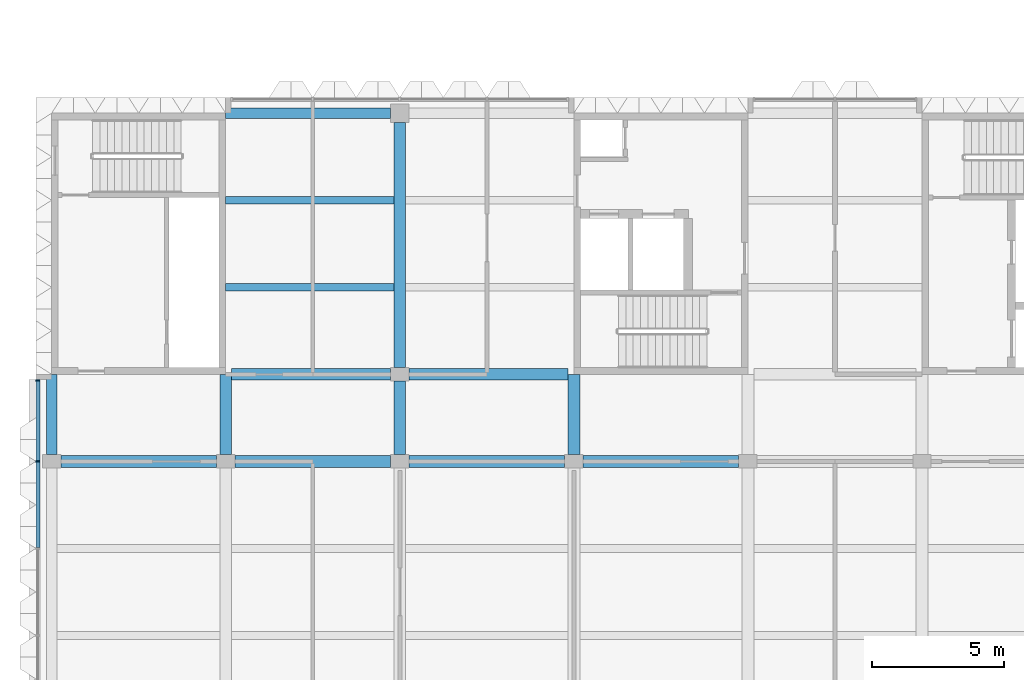
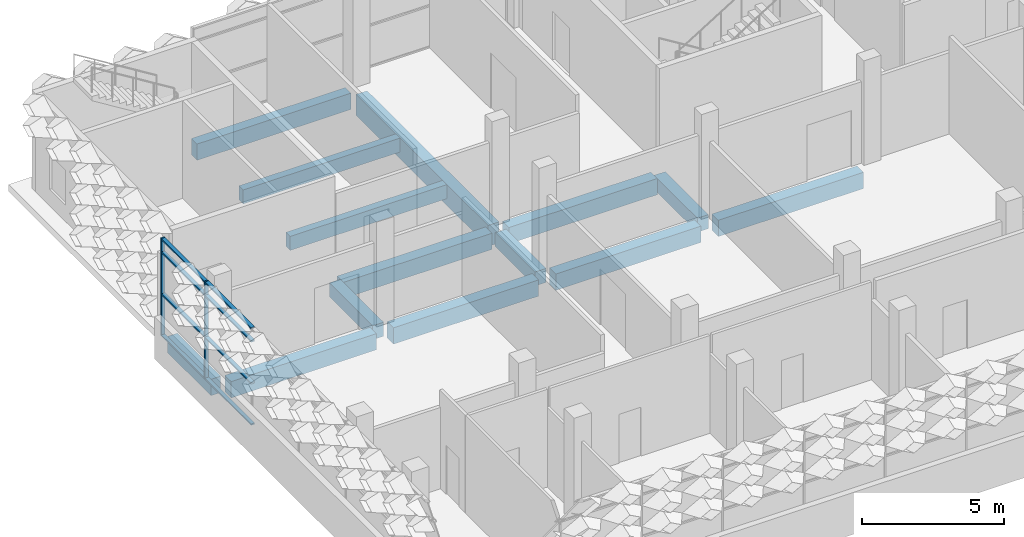
# One storey, part 4 of 85: 14 beams, 10 members, 1 element without a shape of its own.
"""IFC4 building model written with IfcOpenShell, lengths in metres."""

from ifc_helpers import new_model, si_unit, direction, frame, origin, origin_2d, place, context, subcontext, project, spatial, rectangle, extrude, material, material_profile, profile_set, type_object, element, aggregate, save


model = new_model("IFC4")

# Units and contexts
model_context = context("Model", 3, precision=1e-05, world=origin(), true_north=direction((0.0, 1.0)))
body_context = subcontext(model_context, "Body", "Model", "MODEL_VIEW")
ifc_project = project(units=[si_unit("LENGTHUNIT", "METRE"), si_unit("AREAUNIT", "SQUARE_METRE"), si_unit("VOLUMEUNIT", "CUBIC_METRE"), si_unit("PLANEANGLEUNIT", "RADIAN"), si_unit("MASSUNIT", "GRAM", prefix="KILO")], contexts=[model_context])

# Site, building, storey
site_placement = place(None, origin())
site = spatial("IfcSite", under=ifc_project, at=site_placement, CompositionType="ELEMENT")
building_placement = place(site_placement, origin())
building = spatial("IfcBuilding", under=site, at=building_placement, Name="Lantern Court Research Institute", CompositionType="ELEMENT")
storey_placement = place(building_placement, frame((0.0, 0.0, 18.89990234375)))
storey = spatial("IfcBuildingStorey", under=building, at=storey_placement, Name="L04", CompositionType="ELEMENT", Elevation=18.89990234375)

# Curtain wall, members
ifc_material_1 = material(Name="Aluminium alloy 6063-T6", Category="aluminium")
curtain_wall_type = type_object("IfcCurtainWallType", Name="Curtain wall 21250 x 4200 x 150 aluminium frame", PredefinedType="NOTDEFINED", material=ifc_material_1)
curtain_wall_placement = place(storey_placement, origin())
curtain_wall = element("IfcCurtainWall", 1, at=curtain_wall_placement, inside=storey, type_object=curtain_wall_type, Name="Curtain wall CW064", PredefinedType="NOTDEFINED")
ifc_material_2 = material(Name="Aluminium alloy 6063-T6", Category="aluminium")
ifc_material_profile_1 = material_profile(ifc_material_2, rectangle(XDim=0.14990234375, YDim=0.06005859375, at=origin_2d()), Name="Mullion 150 x 60")
ifc_profile_set_1 = profile_set([ifc_material_profile_1], Name="Aluminium alloy 6063-T6")
member_type_1 = type_object("IfcMemberType", Name="Mullion 150 x 60 aluminium", PredefinedType="MULLION", material=ifc_profile_set_1)
member_1_placement = place(storey_placement, frame((-0.52490234375, 9.89990234375, 0.0), z_axis=(0.0, 0.0, 1.0), x_axis=(-1.0, 0.0, 0.0)))
member_1 = element("IfcMember", 2, at=member_1_placement, type_object=member_type_1, Name="CW064 mullion 7", PredefinedType="MULLION", context=body_context, shape_type="SweptSolid", body=[
    extrude(rectangle(XDim=0.14990234375, YDim=0.06005859375, at=origin_2d()), origin(), (0.0, 0.0, 1.0), 4.2001953125),
])
member_2_placement = place(storey_placement, frame((-0.52490234375, 12.969970703125, 0.0), z_axis=(0.0, 0.0, 1.0), x_axis=(-1.0, 0.0, 0.0)))
member_2 = element("IfcMember", 3, at=member_2_placement, type_object=member_type_1, Name="CW064 mullion 8", PredefinedType="MULLION", context=body_context, shape_type="SweptSolid", body=[
    extrude(rectangle(XDim=0.14990234375, YDim=0.06005859375, at=origin_2d()), origin(), (0.0, 0.0, 1.0), 4.2001953125),
])

# Beams
ifc_material_3 = material(Name="Concrete C40/50", Category="concrete")
ifc_material_profile_2 = material_profile(ifc_material_3, rectangle(XDim=0.449951171875, YDim=0.699951171875, at=origin_2d()), Name="RC beam 450 x 700")
ifc_profile_set_2 = profile_set([ifc_material_profile_2], Name="Concrete C40/50")
beam_type_1 = type_object("IfcBeamType", Name="RC beam 450 x 700", PredefinedType="BEAM", material=ifc_profile_set_2)
beam_1_placement = place(storey_placement, frame((0.35009765625, 9.89990234375, -0.64990234375), z_axis=(1.0, 0.0, 0.0), x_axis=(0.0, 1.0, 0.0)))
element("IfcBeam", 4, at=beam_1_placement, inside=storey, type_object=beam_type_1, Name="Beam L04 grid B/1-2", PredefinedType="BEAM", context=body_context, shape_type="SweptSolid", body=[
    extrude(rectangle(XDim=0.449951171875, YDim=0.699951171875, at=origin_2d()), origin(), (0.0, 0.0, 1.0), 5.89990234375),
])
beam_2_placement = place(storey_placement, frame((6.949951171875, 9.89990234375, -0.64990234375), z_axis=(1.0, 0.0, 0.0), x_axis=(0.0, 1.0, 0.0)))
element("IfcBeam", 5, at=beam_2_placement, inside=storey, type_object=beam_type_1, Name="Beam L04 grid B/2-3", PredefinedType="BEAM", context=body_context, shape_type="SweptSolid", body=[
    extrude(rectangle(XDim=0.449951171875, YDim=0.699951171875, at=origin_2d()), origin(), (0.0, 0.0, 1.0), 5.900146484375),
])
beam_3_placement = place(storey_placement, frame((13.550048828125, 9.89990234375, -0.64990234375), z_axis=(1.0, 0.0, 0.0), x_axis=(0.0, 1.0, 0.0)))
element("IfcBeam", 6, at=beam_3_placement, inside=storey, type_object=beam_type_1, Name="Beam L04 grid B/3-4", PredefinedType="BEAM", context=body_context, shape_type="SweptSolid", body=[
    extrude(rectangle(XDim=0.449951171875, YDim=0.699951171875, at=origin_2d()), origin(), (0.0, 0.0, 1.0), 5.89990234375),
])
beam_4_placement = place(storey_placement, frame((20.14990234375, 9.89990234375, -0.64990234375), z_axis=(1.0, 0.0, 0.0), x_axis=(0.0, 1.0, 0.0)))
element("IfcBeam", 7, at=beam_4_placement, inside=storey, type_object=beam_type_1, Name="Beam L04 grid B/4-5", PredefinedType="BEAM", context=body_context, shape_type="SweptSolid", body=[
    extrude(rectangle(XDim=0.449951171875, YDim=0.699951171875, at=origin_2d()), origin(), (0.0, 0.0, 1.0), 5.900146484375),
])
beam_5_placement = place(storey_placement, frame((6.824951171875, 13.199951171875, -0.64990234375), z_axis=(1.0, 0.0, 0.0), x_axis=(0.0, 1.0, 0.0)))
element("IfcBeam", 8, at=beam_5_placement, inside=storey, type_object=beam_type_1, Name="Beam L04 grid C/2-3", PredefinedType="BEAM", context=body_context, shape_type="SweptSolid", body=[
    extrude(rectangle(XDim=0.449951171875, YDim=0.699951171875, at=origin_2d()), origin(), (0.0, 0.0, 1.0), 6.025146484375),
])
beam_6_placement = place(storey_placement, frame((13.550048828125, 13.199951171875, -0.64990234375), z_axis=(1.0, 0.0, 0.0), x_axis=(0.0, 1.0, 0.0)))
element("IfcBeam", 9, at=beam_6_placement, inside=storey, type_object=beam_type_1, Name="Beam L04 grid C/3-4", PredefinedType="BEAM", context=body_context, shape_type="SweptSolid", body=[
    extrude(rectangle(XDim=0.449951171875, YDim=0.699951171875, at=origin_2d()), origin(), (0.0, 0.0, 1.0), 6.02490234375),
])
ifc_material_4 = material(Name="Concrete C40/50", Category="concrete")
ifc_material_profile_3 = material_profile(ifc_material_4, rectangle(XDim=0.39990234375, YDim=0.699951171875, at=origin_2d()), Name="RC beam 400 x 700")
ifc_profile_set_3 = profile_set([ifc_material_profile_3], Name="Concrete C40/50")
beam_type_2 = type_object("IfcBeamType", Name="RC edge beam 400 x 700", PredefinedType="BEAM", material=ifc_profile_set_3)
beam_7_placement = place(storey_placement, frame((0.0, 10.14990234375, -0.64990234375), z_axis=(0.0, 1.0, 0.0), x_axis=(-1.0, 0.0, 0.0)))
element("IfcBeam", 10, at=beam_7_placement, inside=storey, type_object=beam_type_2, Name="Edge beam L04 grid 1/B-C", PredefinedType="BEAM", context=body_context, shape_type="SweptSolid", body=[
    extrude(rectangle(XDim=0.39990234375, YDim=0.699951171875, at=origin_2d()), origin(), (0.0, 0.0, 1.0), 3.050048828125),
])
beam_8_placement = place(storey_placement, frame((6.60009765625, 23.10009765625, -0.64990234375), z_axis=(1.0, 0.0, 0.0), x_axis=(0.0, 1.0, 0.0)))
element("IfcBeam", 11, at=beam_8_placement, inside=storey, type_object=beam_type_2, Name="Edge beam L04 grid D/2-3", PredefinedType="BEAM", context=body_context, shape_type="SweptSolid", body=[
    extrude(rectangle(XDim=0.39990234375, YDim=0.699951171875, at=origin_2d()), origin(), (0.0, 0.0, 1.0), 6.25),
])
ifc_material_5 = material(Name="Concrete C40/50", Category="concrete")
ifc_material_profile_4 = material_profile(ifc_material_5, rectangle(XDim=0.449951171875, YDim=0.89990234375, at=origin_2d()), Name="RC beam 450 x 900")
ifc_profile_set_4 = profile_set([ifc_material_profile_4], Name="Concrete C40/50")
beam_type_3 = type_object("IfcBeamType", Name="RC girder 450 x 900", PredefinedType="BEAM", material=ifc_profile_set_4)
beam_9_placement = place(storey_placement, frame((13.199951171875, 13.449951171875, -0.75), z_axis=(0.0, 1.0, 0.0), x_axis=(-1.0, 0.0, 0.0)))
element("IfcBeam", 12, at=beam_9_placement, inside=storey, type_object=beam_type_3, Name="Girder L04 grid 3/C-D", PredefinedType="BEAM", context=body_context, shape_type="SweptSolid", body=[
    extrude(rectangle(XDim=0.449951171875, YDim=0.89990234375, at=origin_2d()), origin(), (0.0, 0.0, 1.0), 9.300048828125),
])
ifc_material_6 = material(Name="Concrete C40/50", Category="concrete")
ifc_material_profile_5 = material_profile(ifc_material_6, rectangle(XDim=0.300048828125, YDim=0.60009765625, at=origin_2d()), Name="RC beam 300 x 600")
ifc_profile_set_5 = profile_set([ifc_material_profile_5], Name="Concrete C40/50")
beam_type_4 = type_object("IfcBeamType", Name="RC secondary beam 300 x 600", PredefinedType="BEAM", material=ifc_profile_set_5)
for number, where, z_axis, x_axis, name in (
    (13, (6.60009765625, 16.5, -0.599853515625), (1.0, 0.0, 0.0), (0.0, 1.0, 0.0), "Secondary beam L04 grids 2-3 / C-D, line 1"),
    (14, (6.60009765625, 19.800048828125, -0.599853515625), (1.0, 0.0, 0.0), (0.0, 1.0, 0.0), "Secondary beam L04 grids 2-3 / C-D, line 2"),
):
    element("IfcBeam", number, at=place(storey_placement, frame(where, z_axis=z_axis, x_axis=x_axis)), inside=storey, type_object=beam_type_4, Name=name, PredefinedType="BEAM", context=body_context, shape_type="SweptSolid", body=[
        extrude(rectangle(XDim=0.300048828125, YDim=0.60009765625, at=origin_2d()), origin(), (0.0, 0.0, 1.0), 6.375),
    ])
ifc_material_7 = material(Name="Concrete C40/50", Category="concrete")
ifc_material_profile_6 = material_profile(ifc_material_7, rectangle(XDim=0.449951171875, YDim=0.60009765625, at=origin_2d()), Name="RC beam 450 x 600")
ifc_profile_set_6 = profile_set([ifc_material_profile_6], Name="Concrete C40/50")
beam_type_5 = type_object("IfcBeamType", Name="RC spine beam 450 x 600", PredefinedType="BEAM", material=ifc_profile_set_6)
beam_10_placement = place(storey_placement, frame((6.60009765625, 10.14990234375, -0.599853515625), z_axis=(0.0, 1.0, 0.0), x_axis=(-1.0, 0.0, 0.0)))
element("IfcBeam", 15, at=beam_10_placement, inside=storey, type_object=beam_type_5, Name="Beam L04 grid 2/B-C", PredefinedType="BEAM", context=body_context, shape_type="SweptSolid", body=[
    extrude(rectangle(XDim=0.449951171875, YDim=0.60009765625, at=origin_2d()), origin(), (0.0, 0.0, 1.0), 3.050048828125),
])
beam_11_placement = place(storey_placement, frame((13.199951171875, 10.14990234375, -0.599853515625), z_axis=(0.0, 1.0, 0.0), x_axis=(-1.0, 0.0, 0.0)))
element("IfcBeam", 16, at=beam_11_placement, inside=storey, type_object=beam_type_5, Name="Beam L04 grid 3/B-C", PredefinedType="BEAM", context=body_context, shape_type="SweptSolid", body=[
    extrude(rectangle(XDim=0.449951171875, YDim=0.60009765625, at=origin_2d()), origin(), (0.0, 0.0, 1.0), 2.800048828125),
])
beam_12_placement = place(storey_placement, frame((19.800048828125, 10.14990234375, -0.599853515625), z_axis=(0.0, 1.0, 0.0), x_axis=(-1.0, 0.0, 0.0)))
element("IfcBeam", 17, at=beam_12_placement, inside=storey, type_object=beam_type_5, Name="Beam L04 grid 4/B-C", PredefinedType="BEAM", context=body_context, shape_type="SweptSolid", body=[
    extrude(rectangle(XDim=0.449951171875, YDim=0.60009765625, at=origin_2d()), origin(), (0.0, 0.0, 1.0), 3.050048828125),
])

# Member
ifc_material_8 = material(Name="Aluminium alloy 6063-T6", Category="aluminium")
ifc_material_profile_7 = material_profile(ifc_material_8, rectangle(XDim=0.14990234375, YDim=0.06005859375, at=origin_2d()), Name="Transom 150 x 60")
ifc_profile_set_7 = profile_set([ifc_material_profile_7], Name="Aluminium alloy 6063-T6")
member_type_2 = type_object("IfcMemberType", Name="Transom 150 x 60 aluminium", PredefinedType="USERDEFINED", material=ifc_profile_set_7)
member_3_placement = place(storey_placement, frame((-0.52490234375, 6.6298828125, 0.030029296875), z_axis=(0.0, 1.0, 0.0), x_axis=(-1.0, 0.0, 0.0)))
member_3 = element("IfcMember", 18, at=member_3_placement, type_object=member_type_2, Name="CW064 transom 6.1", ObjectType="TRANSOM", PredefinedType="USERDEFINED", context=body_context, shape_type="SweptSolid", body=[
    extrude(rectangle(XDim=0.14990234375, YDim=0.06005859375, at=origin_2d()), origin(), (0.0, 0.0, 1.0), 3.240234375),
])

member_4_placement = place(storey_placement, frame((-0.52490234375, 6.6298828125, 1.800048828125), z_axis=(0.0, 1.0, 0.0), x_axis=(-1.0, 0.0, 0.0)))
member_4 = element("IfcMember", 19, at=member_4_placement, type_object=member_type_2, Name="CW064 transom 6.2", ObjectType="TRANSOM", PredefinedType="USERDEFINED", context=body_context, shape_type="SweptSolid", body=[
    extrude(rectangle(XDim=0.14990234375, YDim=0.06005859375, at=origin_2d()), origin(), (0.0, 0.0, 1.0), 3.240234375),
])

member_5_placement = place(storey_placement, frame((-0.52490234375, 6.6298828125, 3.60009765625), z_axis=(0.0, 1.0, 0.0), x_axis=(-1.0, 0.0, 0.0)))
member_5 = element("IfcMember", 20, at=member_5_placement, type_object=member_type_2, Name="CW064 transom 6.3", ObjectType="TRANSOM", PredefinedType="USERDEFINED", context=body_context, shape_type="SweptSolid", body=[
    extrude(rectangle(XDim=0.14990234375, YDim=0.06005859375, at=origin_2d()), origin(), (0.0, 0.0, 1.0), 3.240234375),
])

member_6_placement = place(storey_placement, frame((-0.52490234375, 6.6298828125, 4.170166015625), z_axis=(0.0, 1.0, 0.0), x_axis=(-1.0, 0.0, 0.0)))
member_6 = element("IfcMember", 21, at=member_6_placement, type_object=member_type_2, Name="CW064 transom 6.4", ObjectType="TRANSOM", PredefinedType="USERDEFINED", context=body_context, shape_type="SweptSolid", body=[
    extrude(rectangle(XDim=0.14990234375, YDim=0.06005859375, at=origin_2d()), origin(), (0.0, 0.0, 1.0), 3.240234375),
])

member_7_placement = place(storey_placement, frame((-0.52490234375, 9.929931640625, 0.030029296875), z_axis=(0.0, 1.0, 0.0), x_axis=(-1.0, 0.0, 0.0)))
member_7 = element("IfcMember", 22, at=member_7_placement, type_object=member_type_2, Name="CW064 transom 7.1", ObjectType="TRANSOM", PredefinedType="USERDEFINED", context=body_context, shape_type="SweptSolid", body=[
    extrude(rectangle(XDim=0.14990234375, YDim=0.06005859375, at=origin_2d()), origin(), (0.0, 0.0, 1.0), 3.010009765625),
])

member_8_placement = place(storey_placement, frame((-0.52490234375, 9.929931640625, 1.800048828125), z_axis=(0.0, 1.0, 0.0), x_axis=(-1.0, 0.0, 0.0)))
member_8 = element("IfcMember", 23, at=member_8_placement, type_object=member_type_2, Name="CW064 transom 7.2", ObjectType="TRANSOM", PredefinedType="USERDEFINED", context=body_context, shape_type="SweptSolid", body=[
    extrude(rectangle(XDim=0.14990234375, YDim=0.06005859375, at=origin_2d()), origin(), (0.0, 0.0, 1.0), 3.010009765625),
])

member_9_placement = place(storey_placement, frame((-0.52490234375, 9.929931640625, 3.60009765625), z_axis=(0.0, 1.0, 0.0), x_axis=(-1.0, 0.0, 0.0)))
member_9 = element("IfcMember", 24, at=member_9_placement, type_object=member_type_2, Name="CW064 transom 7.3", ObjectType="TRANSOM", PredefinedType="USERDEFINED", context=body_context, shape_type="SweptSolid", body=[
    extrude(rectangle(XDim=0.14990234375, YDim=0.06005859375, at=origin_2d()), origin(), (0.0, 0.0, 1.0), 3.010009765625),
])

member_10_placement = place(storey_placement, frame((-0.52490234375, 9.929931640625, 4.170166015625), z_axis=(0.0, 1.0, 0.0), x_axis=(-1.0, 0.0, 0.0)))
member_10 = element("IfcMember", 25, at=member_10_placement, type_object=member_type_2, Name="CW064 transom 7.4", ObjectType="TRANSOM", PredefinedType="USERDEFINED", context=body_context, shape_type="SweptSolid", body=[
    extrude(rectangle(XDim=0.14990234375, YDim=0.06005859375, at=origin_2d()), origin(), (0.0, 0.0, 1.0), 3.010009765625),
])

aggregate(curtain_wall, [member_1, member_2, member_3, member_4, member_5, member_6, member_7, member_8, member_9, member_10])

save(model, "model.ifc")
